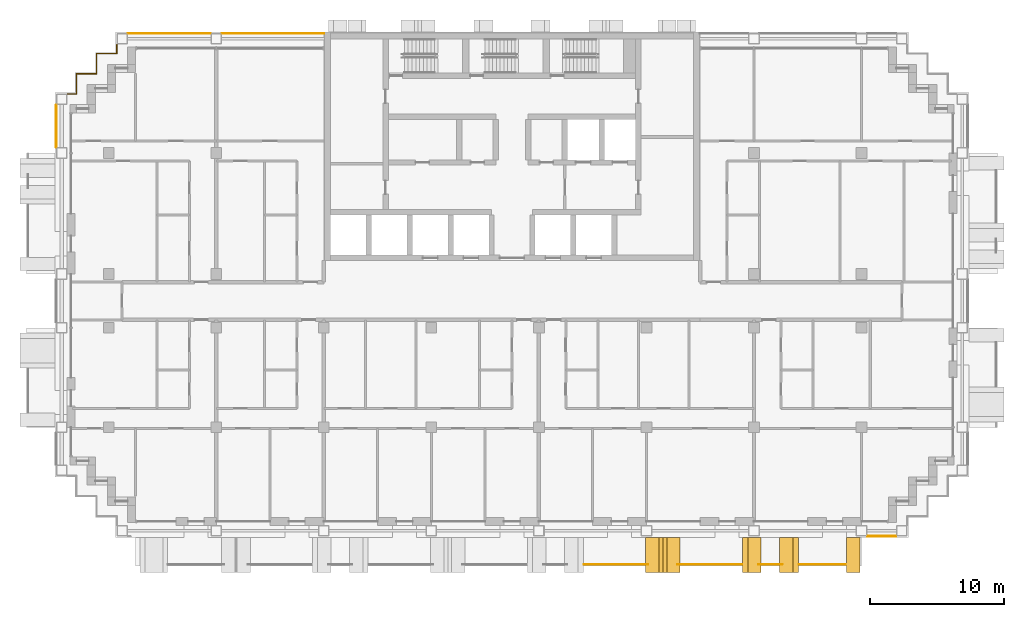
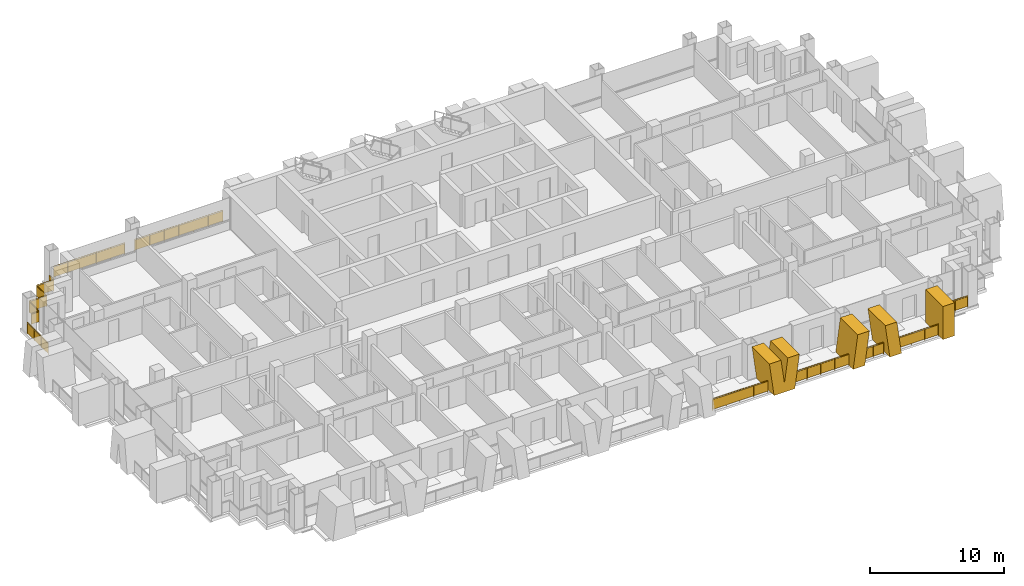
# One storey, part 16 of 18: 9 railings, 4 shading devices.
"""IFC4 building model written with IfcOpenShell, lengths in metres."""

from ifc_helpers import new_model, si_unit, direction, frame, origin, origin_2d, place, context, subcontext, project, spatial, polyline, rectangle, circle, outline, extrude, material, layer, layer_set, type_object, element, save


model = new_model("IFC4")

# Units and contexts
model_context = context("Model", 3, precision=1e-05, world=origin(), true_north=direction((0.0, 1.0)))
body_context = subcontext(model_context, "Body", "Model", "MODEL_VIEW")
ifc_project = project(units=[si_unit("LENGTHUNIT", "METRE"), si_unit("AREAUNIT", "SQUARE_METRE"), si_unit("VOLUMEUNIT", "CUBIC_METRE"), si_unit("PLANEANGLEUNIT", "RADIAN"), si_unit("MASSUNIT", "GRAM", prefix="KILO")], contexts=[model_context])

# Site, building, storey
site_placement = place(None, origin())
site = spatial("IfcSite", under=ifc_project, at=site_placement, CompositionType="ELEMENT")
building_placement = place(site_placement, origin())
building = spatial("IfcBuilding", under=site, at=building_placement, Name="Vidyagriha Tower", CompositionType="ELEMENT")
storey_placement = place(building_placement, frame((0.0, 0.0, 123.0)))
storey = spatial("IfcBuildingStorey", under=building, at=storey_placement, Name="L31", CompositionType="ELEMENT", Elevation=123.0)

# Railings
ifc_material_1 = material(Name="Steel ASTM A500 Grade C black painted", Category="steel")
railing_type_1 = type_object("IfcRailingType", Name="Balcony guard 1100", PredefinedType="BALUSTRADE", material=ifc_material_1)
railing_1_placement = place(storey_placement, frame((5.35498046875, -19.60009765625, 0.0)))
element("IfcRailing", 1, at=railing_1_placement, inside=storey, type_object=railing_type_1, Name="Balcony guard L31 R23.1-7", PredefinedType="BALUSTRADE", context=body_context, shape_type="SweptSolid", body=[
    extrude(circle(Radius=0.02490234375, at=origin_2d()), frame((0.0, 0.0, 1.0751953125), z_axis=(1.0, 0.0, 0.0), x_axis=(0.0, 1.0, 0.0)), (0.0, 0.0, 1.0), 4.773681640625),
    extrude(circle(Radius=0.02001953125, at=origin_2d()), origin(), (0.0, 0.0, 1.0), 1.050048828125),
    extrude(circle(Radius=0.02001953125, at=origin_2d()), frame((1.193359375, 0.0, 0.0)), (0.0, 0.0, 1.0), 1.050048828125),
    extrude(circle(Radius=0.02001953125, at=origin_2d()), frame((2.38671875, 0.0, 0.0)), (0.0, 0.0, 1.0), 1.050048828125),
    extrude(circle(Radius=0.02001953125, at=origin_2d()), frame((3.580322265625, 0.0, 0.0)), (0.0, 0.0, 1.0), 1.050048828125),
    extrude(circle(Radius=0.02001953125, at=origin_2d()), frame((4.773681640625, 0.0, 0.0)), (0.0, 0.0, 1.0), 1.050048828125),
    extrude(rectangle(XDim=0.010009765625, YDim=0.900146484375, at=origin_2d()), frame((0.0, 0.0, 0.550048828125), z_axis=(1.0, 0.0, 0.0), x_axis=(0.0, 1.0, 0.0)), (0.0, 0.0, 1.0), 4.773681640625),
])
railing_2_placement = place(storey_placement, frame((12.321533203125, -19.60009765625, 0.0)))
element("IfcRailing", 2, at=railing_2_placement, inside=storey, type_object=railing_type_1, Name="Balcony guard L31 R23.1-8", PredefinedType="BALUSTRADE", context=body_context, shape_type="SweptSolid", body=[
    extrude(circle(Radius=0.02490234375, at=origin_2d()), frame((0.0, 0.0, 1.0751953125), z_axis=(1.0, 0.0, 0.0), x_axis=(0.0, 1.0, 0.0)), (0.0, 0.0, 1.0), 4.7734375),
    extrude(circle(Radius=0.02001953125, at=origin_2d()), origin(), (0.0, 0.0, 1.0), 1.050048828125),
    extrude(circle(Radius=0.02001953125, at=origin_2d()), frame((1.193359375, 0.0, 0.0)), (0.0, 0.0, 1.0), 1.050048828125),
    extrude(circle(Radius=0.02001953125, at=origin_2d()), frame((2.38671875, 0.0, 0.0)), (0.0, 0.0, 1.0), 1.050048828125),
    extrude(circle(Radius=0.02001953125, at=origin_2d()), frame((3.580078125, 0.0, 0.0)), (0.0, 0.0, 1.0), 1.050048828125),
    extrude(circle(Radius=0.02001953125, at=origin_2d()), frame((4.7734375, 0.0, 0.0)), (0.0, 0.0, 1.0), 1.050048828125),
    extrude(rectangle(XDim=0.010009765625, YDim=0.900146484375, at=origin_2d()), frame((0.0, 0.0, 0.550048828125), z_axis=(1.0, 0.0, 0.0), x_axis=(0.0, 1.0, 0.0)), (0.0, 0.0, 1.0), 4.7734375),
])
railing_3_placement = place(storey_placement, frame((18.346435546875, -19.60009765625, 0.0)))
element("IfcRailing", 3, at=railing_3_placement, inside=storey, type_object=railing_type_1, Name="Balcony guard L31 R23.1-9", PredefinedType="BALUSTRADE", context=body_context, shape_type="SweptSolid", body=[
    extrude(circle(Radius=0.02490234375, at=origin_2d()), frame((0.0, 0.0, 1.0751953125), z_axis=(1.0, 0.0, 0.0), x_axis=(0.0, 1.0, 0.0)), (0.0, 0.0, 1.0), 1.757080078125),
    extrude(circle(Radius=0.02001953125, at=origin_2d()), origin(), (0.0, 0.0, 1.0), 1.050048828125),
    extrude(circle(Radius=0.02001953125, at=origin_2d()), frame((0.87841796875, 0.0, 0.0)), (0.0, 0.0, 1.0), 1.050048828125),
    extrude(circle(Radius=0.02001953125, at=origin_2d()), frame((1.757080078125, 0.0, 0.0)), (0.0, 0.0, 1.0), 1.050048828125),
    extrude(rectangle(XDim=0.010009765625, YDim=0.900146484375, at=origin_2d()), frame((0.0, 0.0, 0.550048828125), z_axis=(1.0, 0.0, 0.0), x_axis=(0.0, 1.0, 0.0)), (0.0, 0.0, 1.0), 1.757080078125),
])
railing_4_placement = place(storey_placement, frame((21.35498046875, -19.60009765625, 0.0)))
element("IfcRailing", 4, at=railing_4_placement, inside=storey, type_object=railing_type_1, Name="Balcony guard L31 R23.1-10", PredefinedType="BALUSTRADE", context=body_context, shape_type="SweptSolid", body=[
    extrude(circle(Radius=0.02490234375, at=origin_2d()), frame((0.0, 0.0, 1.0751953125), z_axis=(1.0, 0.0, 0.0), x_axis=(0.0, 1.0, 0.0)), (0.0, 0.0, 1.0), 3.469970703125),
    extrude(circle(Radius=0.02001953125, at=origin_2d()), origin(), (0.0, 0.0, 1.0), 1.050048828125),
    extrude(circle(Radius=0.02001953125, at=origin_2d()), frame((1.15673828125, 0.0, 0.0)), (0.0, 0.0, 1.0), 1.050048828125),
    extrude(circle(Radius=0.02001953125, at=origin_2d()), frame((2.313232421875, 0.0, 0.0)), (0.0, 0.0, 1.0), 1.050048828125),
    extrude(circle(Radius=0.02001953125, at=origin_2d()), frame((3.469970703125, 0.0, 0.0)), (0.0, 0.0, 1.0), 1.050048828125),
    extrude(rectangle(XDim=0.010009765625, YDim=0.900146484375, at=origin_2d()), frame((0.0, 0.0, 0.550048828125), z_axis=(1.0, 0.0, 0.0), x_axis=(0.0, 1.0, 0.0)), (0.0, 0.0, 1.0), 3.469970703125),
])

# Shading devices
ifc_material_2 = material(Name="Precast concrete C40/50 with buff brick facing", Category="concrete")
ifc_layer_1 = layer(ifc_material_2, 1.0)
ifc_layer_set_1 = layer_set([ifc_layer_1], Name="Precast concrete C40/50 with buff brick facing")
shading_device_type_1 = type_object("IfcShadingDeviceType", Name="Brick-faced blade fin arm leaning 8 degrees", PredefinedType="USERDEFINED", material=ifc_layer_set_1)
shading_device_1_placement = place(storey_placement, frame((17.14501953125, -18.89990234375, 0.0)))
element("IfcShadingDevice", 5, at=shading_device_1_placement, inside=storey, type_object=shading_device_type_1, Name="Leaning blade fin L31 R23.4600a", ObjectType="BLADE FIN", PredefinedType="USERDEFINED", context=body_context, shape_type="SweptSolid", body=[
    extrude(outline(polyline([(0.0, 0.0), (1.0, 0.0), (1.39501953125, 3.0), (0.39501953125, 3.0), (0.0, 0.0)])), frame((0.0, 1.300048828125, 0.0), z_axis=(0.0, -1.0, 0.0), x_axis=(1.0, 0.0, 0.0)), (0.0, 0.0, 1.0), 2.60009765625),
])
shading_device_2_placement = place(storey_placement, frame((19.909912109375, -18.89990234375, 0.0)))
element("IfcShadingDevice", 6, at=shading_device_2_placement, inside=storey, type_object=shading_device_type_1, Name="Leaning blade fin L31 R23.4600b", ObjectType="BLADE FIN", PredefinedType="USERDEFINED", context=body_context, shape_type="SweptSolid", body=[
    extrude(outline(polyline([(0.39501953125, 0.0), (1.39501953125, 0.0), (1.0, 3.0), (0.0, 3.0), (0.39501953125, 0.0)])), frame((0.0, 1.300048828125, 0.0), z_axis=(0.0, -1.0, 0.0), x_axis=(1.0, 0.0, 0.0)), (0.0, 0.0, 1.0), 2.60009765625),
])
ifc_material_3 = material(Name="Precast concrete C40/50 with buff brick facing", Category="concrete")
ifc_layer_2 = layer(ifc_material_3, 1.0)
ifc_layer_set_2 = layer_set([ifc_layer_2], Name="Precast concrete C40/50 with buff brick facing")
shading_device_type_2 = type_object("IfcShadingDeviceType", Name="Brick-faced blade fin forking 8 degrees", PredefinedType="USERDEFINED", material=ifc_layer_set_2)
shading_device_3_placement = place(storey_placement, frame((9.93505859375, -18.89990234375, 0.0)))
element("IfcShadingDevice", 7, at=shading_device_3_placement, inside=storey, type_object=shading_device_type_2, Name="Forked blade fin L31 R23.3800a", ObjectType="BLADE FIN", PredefinedType="USERDEFINED", context=body_context, shape_type="SweptSolid", body=[
    extrude(outline(polyline([(0.39501953125, 0.0), (2.18505859375, 0.0), (2.580078125, 3.0), (1.580078125, 3.0), (1.2900390625, 0.797607421875), (1.0, 3.0), (0.0, 3.0), (0.39501953125, 0.0)])), frame((0.0, 1.300048828125, 0.0), z_axis=(0.0, -1.0, 0.0), x_axis=(1.0, 0.0, 0.0)), (0.0, 0.0, 1.0), 2.60009765625),
])
ifc_material_4 = material(Name="Precast concrete C40/50 with buff brick facing", Category="concrete")
ifc_layer_3 = layer(ifc_material_4, 1.0)
ifc_layer_set_3 = layer_set([ifc_layer_3], Name="Precast concrete C40/50 with buff brick facing")
shading_device_type_3 = type_object("IfcShadingDeviceType", Name="Brick-faced blade fin stem 1000", PredefinedType="USERDEFINED", material=ifc_layer_set_3)
shading_device_4_placement = place(storey_placement, frame((24.875, -18.89990234375, 0.0)))
element("IfcShadingDevice", 8, at=shading_device_4_placement, inside=storey, type_object=shading_device_type_3, Name="Stem blade fin L31 R23.5400a", ObjectType="BLADE FIN", PredefinedType="USERDEFINED", context=body_context, shape_type="SweptSolid", body=[
    extrude(outline(polyline([(0.0, 0.0), (1.0, 0.0), (1.0, 3.0), (0.0, 3.0), (0.0, 0.0)])), frame((0.0, 1.300048828125, 0.0), z_axis=(0.0, -1.0, 0.0), x_axis=(1.0, 0.0, 0.0)), (0.0, 0.0, 1.0), 2.60009765625),
])

# Railings
ifc_material_5 = material(Name="Steel ASTM A500 Grade C black painted", Category="steel")
railing_type_2 = type_object("IfcRailingType", Name="Gallery guard 1100", PredefinedType="GUARDRAIL", material=ifc_material_5)
railing_5_placement = place(storey_placement, frame((-33.89990234375, 11.429931640625, 0.0)))
element("IfcRailing", 9, at=railing_5_placement, inside=storey, type_object=railing_type_2, Name="Gallery guard L31 3", PredefinedType="GUARDRAIL", context=body_context, shape_type="SweptSolid", body=[
    extrude(circle(Radius=0.02490234375, at=origin_2d()), frame((0.0, 0.0, 1.0751953125), z_axis=(0.0, 1.0, 0.0), x_axis=(-1.0, 0.0, 0.0)), (0.0, 0.0, 1.0), 3.14013671875),
    extrude(circle(Radius=0.02001953125, at=origin_2d()), origin(), (0.0, 0.0, 1.0), 1.050048828125),
    extrude(circle(Radius=0.02001953125, at=origin_2d()), frame((0.0, 1.046630859375, 0.0)), (0.0, 0.0, 1.0), 1.050048828125),
    extrude(circle(Radius=0.02001953125, at=origin_2d()), frame((0.0, 2.093505859375, 0.0)), (0.0, 0.0, 1.0), 1.050048828125),
    extrude(circle(Radius=0.02001953125, at=origin_2d()), frame((0.0, 3.14013671875, 0.0)), (0.0, 0.0, 1.0), 1.050048828125),
    extrude(rectangle(XDim=0.010009765625, YDim=0.900146484375, at=origin_2d()), frame((0.0, 0.0, 0.550048828125), z_axis=(0.0, 1.0, 0.0), x_axis=(-1.0, 0.0, 0.0)), (0.0, 0.0, 1.0), 3.14013671875),
])
railing_6_placement = place(storey_placement, frame((-33.070068359375, 15.39990234375, 0.0)))
element("IfcRailing", 10, at=railing_6_placement, inside=storey, type_object=railing_type_2, Name="Gallery guard L31 5", PredefinedType="GUARDRAIL", context=body_context, shape_type="SweptSolid", body=[
    extrude(circle(Radius=0.02490234375, at=origin_2d()), frame((0.0, 0.0, 1.0751953125), z_axis=(1.0, 0.0, 0.0), x_axis=(0.0, 1.0, 0.0)), (0.0, 0.0, 1.0), 0.670166015625),
    extrude(circle(Radius=0.02490234375, at=origin_2d()), frame((0.670166015625, 0.0, 1.0751953125), z_axis=(0.0, 1.0, 0.0), x_axis=(-1.0, 0.0, 0.0)), (0.0, 0.0, 1.0), 1.5),
    extrude(circle(Radius=0.02490234375, at=origin_2d()), frame((0.670166015625, 1.5, 1.0751953125), z_axis=(1.0, 0.0, 0.0), x_axis=(0.0, 1.0, 0.0)), (0.0, 0.0, 1.0), 1.5),
    extrude(circle(Radius=0.02490234375, at=origin_2d()), frame((2.170166015625, 1.5, 1.0751953125), z_axis=(0.0, 1.0, 0.0), x_axis=(-1.0, 0.0, 0.0)), (0.0, 0.0, 1.0), 1.5),
    extrude(circle(Radius=0.02490234375, at=origin_2d()), frame((2.170166015625, 3.0, 1.0751953125), z_axis=(1.0, 0.0, 0.0), x_axis=(0.0, 1.0, 0.0)), (0.0, 0.0, 1.0), 1.5),
    extrude(circle(Radius=0.02490234375, at=origin_2d()), frame((3.670166015625, 3.0, 1.0751953125), z_axis=(0.0, 1.0, 0.0), x_axis=(-1.0, 0.0, 0.0)), (0.0, 0.0, 1.0), 0.670166015625),
    extrude(circle(Radius=0.02001953125, at=origin_2d()), origin(), (0.0, 0.0, 1.0), 1.050048828125),
    extrude(circle(Radius=0.02001953125, at=origin_2d()), frame((0.670166015625, 0.0, 0.0)), (0.0, 0.0, 1.0), 1.050048828125),
    extrude(circle(Radius=0.02001953125, at=origin_2d()), frame((0.670166015625, 1.5, 0.0)), (0.0, 0.0, 1.0), 1.050048828125),
    extrude(circle(Radius=0.02001953125, at=origin_2d()), frame((2.170166015625, 1.5, 0.0)), (0.0, 0.0, 1.0), 1.050048828125),
    extrude(circle(Radius=0.02001953125, at=origin_2d()), frame((2.170166015625, 3.0, 0.0)), (0.0, 0.0, 1.0), 1.050048828125),
    extrude(circle(Radius=0.02001953125, at=origin_2d()), frame((3.670166015625, 3.0, 0.0)), (0.0, 0.0, 1.0), 1.050048828125),
    extrude(circle(Radius=0.02001953125, at=origin_2d()), frame((3.670166015625, 3.670166015625, 0.0)), (0.0, 0.0, 1.0), 1.050048828125),
    extrude(rectangle(XDim=0.010009765625, YDim=0.900146484375, at=origin_2d()), frame((0.0, 0.0, 0.550048828125), z_axis=(1.0, 0.0, 0.0), x_axis=(0.0, 1.0, 0.0)), (0.0, 0.0, 1.0), 0.670166015625),
    extrude(rectangle(XDim=0.010009765625, YDim=0.900146484375, at=origin_2d()), frame((0.670166015625, 0.0, 0.550048828125), z_axis=(0.0, 1.0, 0.0), x_axis=(-1.0, 0.0, 0.0)), (0.0, 0.0, 1.0), 1.5),
    extrude(rectangle(XDim=0.010009765625, YDim=0.900146484375, at=origin_2d()), frame((0.670166015625, 1.5, 0.550048828125), z_axis=(1.0, 0.0, 0.0), x_axis=(0.0, 1.0, 0.0)), (0.0, 0.0, 1.0), 1.5),
    extrude(rectangle(XDim=0.010009765625, YDim=0.900146484375, at=origin_2d()), frame((2.170166015625, 1.5, 0.550048828125), z_axis=(0.0, 1.0, 0.0), x_axis=(-1.0, 0.0, 0.0)), (0.0, 0.0, 1.0), 1.5),
    extrude(rectangle(XDim=0.010009765625, YDim=0.900146484375, at=origin_2d()), frame((2.170166015625, 3.0, 0.550048828125), z_axis=(1.0, 0.0, 0.0), x_axis=(0.0, 1.0, 0.0)), (0.0, 0.0, 1.0), 1.5),
    extrude(rectangle(XDim=0.010009765625, YDim=0.900146484375, at=origin_2d()), frame((3.670166015625, 3.0, 0.550048828125), z_axis=(0.0, 1.0, 0.0), x_axis=(-1.0, 0.0, 0.0)), (0.0, 0.0, 1.0), 0.670166015625),
])
railing_7_placement = place(storey_placement, frame((-28.570068359375, 19.89990234375, 0.0)))
element("IfcRailing", 11, at=railing_7_placement, inside=storey, type_object=railing_type_2, Name="Gallery guard L31 7", PredefinedType="GUARDRAIL", context=body_context, shape_type="SweptSolid", body=[
    extrude(circle(Radius=0.02490234375, at=origin_2d()), frame((0.0, 0.0, 1.0751953125), z_axis=(1.0, 0.0, 0.0), x_axis=(0.0, 1.0, 0.0)), (0.0, 0.0, 1.0), 6.14013671875),
    extrude(circle(Radius=0.02001953125, at=origin_2d()), origin(), (0.0, 0.0, 1.0), 1.050048828125),
    extrude(circle(Radius=0.02001953125, at=origin_2d()), frame((1.22802734375, 0.0, 0.0)), (0.0, 0.0, 1.0), 1.050048828125),
    extrude(circle(Radius=0.02001953125, at=origin_2d()), frame((2.4560546875, 0.0, 0.0)), (0.0, 0.0, 1.0), 1.050048828125),
    extrude(circle(Radius=0.02001953125, at=origin_2d()), frame((3.68408203125, 0.0, 0.0)), (0.0, 0.0, 1.0), 1.050048828125),
    extrude(circle(Radius=0.02001953125, at=origin_2d()), frame((4.912109375, 0.0, 0.0)), (0.0, 0.0, 1.0), 1.050048828125),
    extrude(circle(Radius=0.02001953125, at=origin_2d()), frame((6.14013671875, 0.0, 0.0)), (0.0, 0.0, 1.0), 1.050048828125),
    extrude(rectangle(XDim=0.010009765625, YDim=0.900146484375, at=origin_2d()), frame((0.0, 0.0, 0.550048828125), z_axis=(1.0, 0.0, 0.0), x_axis=(0.0, 1.0, 0.0)), (0.0, 0.0, 1.0), 6.14013671875),
])
railing_8_placement = place(storey_placement, frame((-21.570068359375, 19.89990234375, 0.0)))
element("IfcRailing", 12, at=railing_8_placement, inside=storey, type_object=railing_type_2, Name="Gallery guard L31 8", PredefinedType="GUARDRAIL", context=body_context, shape_type="SweptSolid", body=[
    extrude(circle(Radius=0.02490234375, at=origin_2d()), frame((0.0, 0.0, 1.0751953125), z_axis=(1.0, 0.0, 0.0), x_axis=(0.0, 1.0, 0.0)), (0.0, 0.0, 1.0), 7.590087890625),
    extrude(circle(Radius=0.02001953125, at=origin_2d()), origin(), (0.0, 0.0, 1.0), 1.050048828125),
    extrude(circle(Radius=0.02001953125, at=origin_2d()), frame((1.26513671875, 0.0, 0.0)), (0.0, 0.0, 1.0), 1.050048828125),
    extrude(circle(Radius=0.02001953125, at=origin_2d()), frame((2.530029296875, 0.0, 0.0)), (0.0, 0.0, 1.0), 1.050048828125),
    extrude(circle(Radius=0.02001953125, at=origin_2d()), frame((3.794921875, 0.0, 0.0)), (0.0, 0.0, 1.0), 1.050048828125),
    extrude(circle(Radius=0.02001953125, at=origin_2d()), frame((5.06005859375, 0.0, 0.0)), (0.0, 0.0, 1.0), 1.050048828125),
    extrude(circle(Radius=0.02001953125, at=origin_2d()), frame((6.3251953125, 0.0, 0.0)), (0.0, 0.0, 1.0), 1.050048828125),
    extrude(circle(Radius=0.02001953125, at=origin_2d()), frame((7.590087890625, 0.0, 0.0)), (0.0, 0.0, 1.0), 1.050048828125),
    extrude(rectangle(XDim=0.010009765625, YDim=0.900146484375, at=origin_2d()), frame((0.0, 0.0, 0.550048828125), z_axis=(1.0, 0.0, 0.0), x_axis=(0.0, 1.0, 0.0)), (0.0, 0.0, 1.0), 7.590087890625),
])
railing_9_placement = place(storey_placement, frame((28.570068359375, -17.5, 0.0)))
element("IfcRailing", 13, at=railing_9_placement, inside=storey, type_object=railing_type_2, Name="Gallery guard L31 11", PredefinedType="GUARDRAIL", context=body_context, shape_type="SweptSolid", body=[
    extrude(circle(Radius=0.02490234375, at=origin_2d()), frame((0.0, 0.0, 1.0751953125), z_axis=(-1.0, 0.0, 0.0), x_axis=(0.0, -1.0, 0.0)), (0.0, 0.0, 1.0), 2.14013671875),
    extrude(circle(Radius=0.02001953125, at=origin_2d()), origin(), (0.0, 0.0, 1.0), 1.050048828125),
    extrude(circle(Radius=0.02001953125, at=origin_2d()), frame((-1.070068359375, 0.0, 0.0)), (0.0, 0.0, 1.0), 1.050048828125),
    extrude(circle(Radius=0.02001953125, at=origin_2d()), frame((-2.14013671875, 0.0, 0.0)), (0.0, 0.0, 1.0), 1.050048828125),
    extrude(rectangle(XDim=0.010009765625, YDim=0.900146484375, at=origin_2d()), frame((0.0, 0.0, 0.550048828125), z_axis=(-1.0, 0.0, 0.0), x_axis=(0.0, -1.0, 0.0)), (0.0, 0.0, 1.0), 2.14013671875),
])

save(model, "model.ifc")
